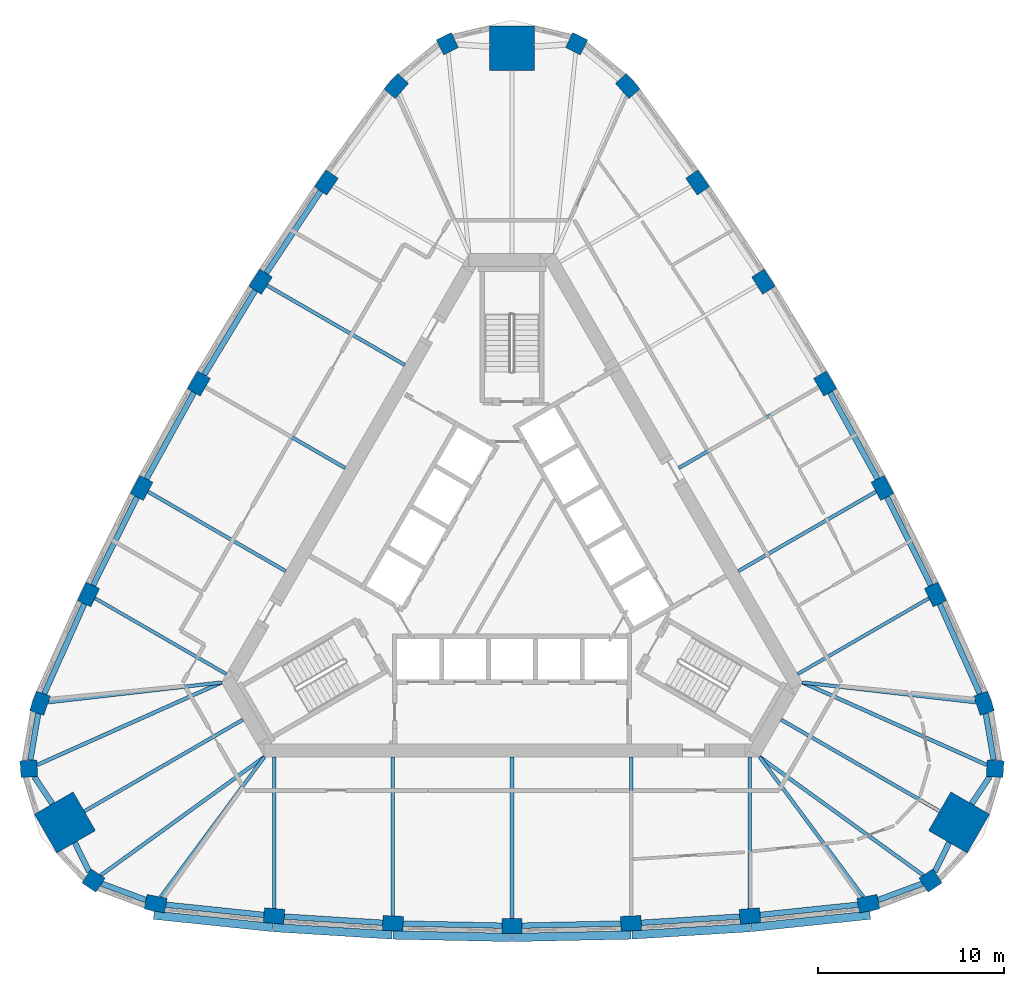
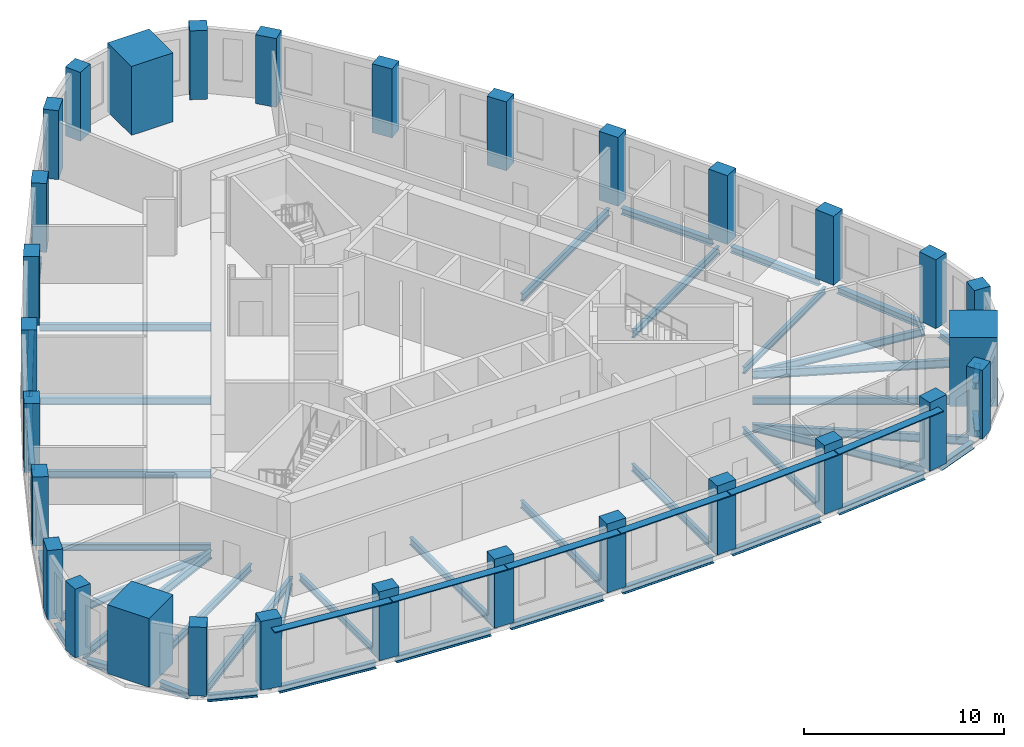
# One storey, part 1 of 10: 44 beams, 30 columns, 6 members.
"""IFC4 building model written with IfcOpenShell, lengths in metres."""

from ifc_helpers import new_model, si_unit, direction, frame, origin, origin_2d, place, context, subcontext, project, spatial, rectangle, i_section, extrude, material, material_profile, profile_set, type_object, element, save


model = new_model("IFC4")

# Units and contexts
model_context = context("Model", 3, precision=1e-05, world=origin(), true_north=direction((0.0, 1.0)))
body_context = subcontext(model_context, "Body", "Model", "MODEL_VIEW")
ifc_project = project(units=[si_unit("LENGTHUNIT", "METRE"), si_unit("AREAUNIT", "SQUARE_METRE"), si_unit("VOLUMEUNIT", "CUBIC_METRE"), si_unit("PLANEANGLEUNIT", "RADIAN"), si_unit("MASSUNIT", "GRAM", prefix="KILO")], contexts=[model_context])

# Site, building, storey
site_placement = place(None, origin())
site = spatial("IfcSite", under=ifc_project, at=site_placement, CompositionType="ELEMENT")
building_placement = place(site_placement, origin())
building = spatial("IfcBuilding", under=site, at=building_placement, Name="Mestral Congress Tower", CompositionType="ELEMENT")
storey_placement = place(building_placement, frame((0.0, 0.0, 226.800048828125)))
storey = spatial("IfcBuildingStorey", under=building, at=storey_placement, Name="L53", CompositionType="ELEMENT", Elevation=226.800048828125)

# Columns
ifc_material_1 = material(Name="Concrete C60/75", Category="concrete")
ifc_material_profile_1 = material_profile(ifc_material_1, rectangle(XDim=1.10009765625, YDim=0.800048828125, at=origin_2d()), Name="RC 1100x800")
ifc_profile_set_1 = profile_set([ifc_material_profile_1], Name="Concrete C60/75")
column_type_1 = type_object("IfcColumnType", Name="Column RC 1100x800 C60/75", PredefinedType="COLUMN", material=ifc_profile_set_1)
for number, where, z_axis, x_axis, name in (
    (1, (-19.150390625, -18.23681640625, 0.0), (0.0, 0.0, 1.0), (0.981324571854, -0.192359259395, 0.0), "COL-L53-C4-S00"),
    (2, (-12.785400390625, -18.899658203125, 0.0), (0.0, 0.0, 1.0), (0.996556680667, -0.082914306473, 0.0), "COL-L53-C4-S01"),
    (3, (-6.398193359375, -19.2978515625, 0.0), (0.0, 0.0, 1.0), (0.999138835542, -0.041492015025, 0.0), "COL-L53-C4-S02"),
    (4, (0.0, -19.4306640625, 0.0), (0.0, 0.0, 1.0), (1.0, 0.0, 0.0), "COL-L53-C4-S03"),
    (5, (6.398193359375, -19.2978515625, 0.0), (0.0, 0.0, 1.0), (0.999138835542, 0.041492015025, 0.0), "COL-L53-C4-S04"),
    (6, (12.785400390625, -18.899658203125, 0.0), (0.0, 0.0, 1.0), (0.996556680667, 0.082914306473, 0.0), "COL-L53-C4-S05"),
    (7, (19.150390625, -18.23681640625, 0.0), (0.0, 0.0, 1.0), (0.981324571854, 0.192359259395, 0.0), "COL-L53-C4-S06"),
    (8, (25.368896484375, -7.46630859375, 0.0), (0.0, 0.0, 1.0), (-0.324074280638, 0.946031638281, 0.0), "COL-L53-C4-E00"),
    (9, (22.76025390625, -1.62255859375, 0.0), (0.0, 0.0, 1.0), (-0.426472444591, 0.904500555005, 0.0), "COL-L53-C4-E01"),
    (10, (19.91162109375, 4.10791015625, 0.0), (0.0, 0.0, 1.0), (-0.463636278705, 0.886025621, 0.0), "COL-L53-C4-E02"),
    (11, (16.827392578125, 9.71533203125, 0.0), (0.0, 0.0, 1.0), (-0.5, 0.866025403784, 0.0), "COL-L53-C4-E03"),
    (12, (13.51318359375, 15.18994140625, 0.0), (0.0, 0.0, 1.0), (-0.535502556837, 0.844533605975, 0.0), "COL-L53-C4-E04"),
    (13, (9.974853515625, 20.522216796875, 0.0), (0.0, 0.0, 1.0), (-0.570084236076, 0.821586248532, 0.0), "COL-L53-C4-E05"),
    (14, (6.218505859375, 25.703125, 0.0), (0.0, 0.0, 1.0), (-0.657250291216, 0.753672378886, 0.0), "COL-L53-C4-E06"),
    (15, (-6.218505859375, 25.703125, 0.0), (0.0, 0.0, 1.0), (-0.657250291216, -0.753672378886, 0.0), "COL-L53-C4-W00"),
    (16, (-9.974853515625, 20.522216796875, 0.0), (0.0, 0.0, 1.0), (-0.570084236076, -0.821586248532, 0.0), "COL-L53-C4-W01"),
    (17, (-13.51318359375, 15.18994140625, 0.0), (0.0, 0.0, 1.0), (-0.535502556837, -0.844533605975, 0.0), "COL-L53-C4-W02"),
    (18, (-16.827392578125, 9.71533203125, 0.0), (0.0, 0.0, 1.0), (-0.5, -0.866025403784, 0.0), "COL-L53-C4-W03"),
    (19, (-19.91162109375, 4.10791015625, 0.0), (0.0, 0.0, 1.0), (-0.463636278705, -0.886025621, 0.0), "COL-L53-C4-W04"),
    (20, (-22.76025390625, -1.62255859375, 0.0), (0.0, 0.0, 1.0), (-0.426472444591, -0.904500555005, 0.0), "COL-L53-C4-W05"),
    (21, (-25.368896484375, -7.46630859375, 0.0), (0.0, 0.0, 1.0), (-0.324074280638, -0.946031638281, 0.0), "COL-L53-C4-W06"),
):
    element("IfcColumn", number, at=place(storey_placement, frame(where, z_axis=z_axis, x_axis=x_axis)), inside=storey, type_object=column_type_1, Name=name, PredefinedType="COLUMN", context=body_context, shape_type="SweptSolid", body=[
        extrude(rectangle(XDim=1.10009765625, YDim=0.800048828125, at=origin_2d()), origin(), (0.0, 0.0, 1.0), 4.199951171875),
    ])
ifc_material_profile_2 = material_profile(ifc_material_1, rectangle(XDim=0.89990234375, YDim=0.89990234375, at=origin_2d()), Name="RC 900x900")
ifc_profile_set_2 = profile_set([ifc_material_profile_2], Name="Concrete C60/75")
column_type_2 = type_object("IfcColumnType", Name="Column RC 900x900 C60/75", PredefinedType="COLUMN", material=ifc_profile_set_2)
for number, where, z_axis, x_axis, name in (
    (22, (22.494384765625, -16.99658203125, 0.0), (0.0, 0.0, 1.0), (0.833238868178, 0.552913183563, 0.0), "COL-L53-C4-SE1"),
    (23, (25.966552734375, -10.982421875, 0.0), (0.0, 0.0, 1.0), (0.062217428964, 0.998062619044, 0.0), "COL-L53-C4-SE3"),
    (24, (3.47216796875, 27.97900390625, 0.0), (0.0, 0.0, 1.0), (-0.895456297142, 0.445149435481, 0.0), "COL-L53-C4-N1"),
    (25, (-3.47216796875, 27.97900390625, 0.0), (0.0, 0.0, 1.0), (-0.895456297142, -0.445149435481, 0.0), "COL-L53-C4-N3"),
    (26, (-25.966552734375, -10.982421875, 0.0), (0.0, 0.0, 1.0), (0.062217428964, -0.998062619044, 0.0), "COL-L53-C4-SW1"),
    (27, (-22.494384765625, -16.99658203125, 0.0), (0.0, 0.0, 1.0), (0.833238868178, -0.552913183563, 0.0), "COL-L53-C4-SW3"),
):
    element("IfcColumn", number, at=place(storey_placement, frame(where, z_axis=z_axis, x_axis=x_axis)), inside=storey, type_object=column_type_2, Name=name, PredefinedType="COLUMN", context=body_context, shape_type="SweptSolid", body=[
        extrude(rectangle(XDim=0.89990234375, YDim=0.89990234375, at=origin_2d()), origin(), (0.0, 0.0, 1.0), 4.199951171875),
    ])
ifc_material_2 = material(Name="Concrete C70/85", Category="concrete")
ifc_material_profile_3 = material_profile(ifc_material_2, rectangle(XDim=2.39990234375, YDim=2.39990234375, at=origin_2d()), Name="RC 2400x2400")
ifc_profile_set_3 = profile_set([ifc_material_profile_3], Name="Concrete C70/85")
column_type_3 = type_object("IfcColumnType", Name="Mega column RC 2400x2400 C70/85", PredefinedType="COLUMN", material=ifc_profile_set_3)
for number, where, z_axis, x_axis, name in (
    (28, (24.02734375, -13.872314453125, 0.0), (0.0, 0.0, 1.0), (0.866025403784, -0.5, 0.0), "COL-L53-PY4-SE"),
    (29, (0.0, 27.744384765625, 0.0), (0.0, 0.0, 1.0), (0.0, 1.0, 0.0), "COL-L53-PY4-N"),
    (30, (-24.02734375, -13.872314453125, 0.0), (0.0, 0.0, 1.0), (-0.866025403784, -0.5, 0.0), "COL-L53-PY4-SW"),
):
    element("IfcColumn", number, at=place(storey_placement, frame(where, z_axis=z_axis, x_axis=x_axis)), inside=storey, type_object=column_type_3, Name=name, PredefinedType="COLUMN", context=body_context, shape_type="SweptSolid", body=[
        extrude(rectangle(XDim=2.39990234375, YDim=2.39990234375, at=origin_2d()), origin(), (0.0, 0.0, 1.0), 4.199951171875),
    ])

# Members
ifc_material_3 = material(Name="Glazed ceramic", Category="masonry")
ifc_material_profile_4 = material_profile(ifc_material_3, rectangle(XDim=0.449951171875, YDim=0.06005859375, at=origin_2d()), Name="Ceramic blade 450 x 60")
ifc_profile_set_4 = profile_set([ifc_material_profile_4], Name="Glazed ceramic")
member_type = type_object("IfcMemberType", Name="Facade sunshade blade 450 x 60", PredefinedType="USERDEFINED", material=ifc_profile_set_4)
member_1_placement = place(storey_placement, frame((-19.251708984375, -18.8544921875, 3.679931640625), z_axis=(0.994617919471, -0.103610782581, 0.0), x_axis=(0.103610782581, 0.994617919471, 0.0)))
element("IfcMember", 31, at=member_1_placement, inside=storey, type_object=member_type, Name="Sunshade F0-00", ObjectType="SUNSHADE", PredefinedType="USERDEFINED", context=body_context, shape_type="SweptSolid", body=[
    extrude(rectangle(XDim=0.449951171875, YDim=0.06005859375, at=origin_2d()), origin(), (0.0, 0.0, 1.0), 6.42578125),
])
member_2_placement = place(storey_placement, frame((-12.8134765625, -19.524169921875, 3.679931640625), z_axis=(0.99806373271, -0.062199561482, 0.0), x_axis=(0.062199561482, 0.99806373271, 0.0)))
element("IfcMember", 32, at=member_2_placement, inside=storey, type_object=member_type, Name="Sunshade F0-01", ObjectType="SUNSHADE", PredefinedType="USERDEFINED", context=body_context, shape_type="SweptSolid", body=[
    extrude(rectangle(XDim=0.449951171875, YDim=0.06005859375, at=origin_2d()), origin(), (0.0, 0.0, 1.0), 6.37841796875),
])
for number, where, z_axis, x_axis, name in (
    (33, (-6.400390625, -19.9228515625, 3.679931640625), (0.99978476383, -0.0207467109, 0.0), (0.0207467109, 0.99978476383, 0.0), "Sunshade F0-02"),
    (34, (0.023681640625, -20.05517578125, 3.679931640625), (0.99978476383, 0.0207467109, 0.0), (-0.0207467109, 0.99978476383, 0.0), "Sunshade F0-03"),
):
    element("IfcMember", number, at=place(storey_placement, frame(where, z_axis=z_axis, x_axis=x_axis)), inside=storey, type_object=member_type, Name=name, ObjectType="SUNSHADE", PredefinedType="USERDEFINED", context=body_context, shape_type="SweptSolid", body=[
        extrude(rectangle(XDim=0.449951171875, YDim=0.06005859375, at=origin_2d()), origin(), (0.0, 0.0, 1.0), 6.378173828125),
    ])
member_3_placement = place(storey_placement, frame((6.447509765625, -19.9208984375, 3.679931640625), z_axis=(0.99806373271, 0.062199561482, 0.0), x_axis=(-0.062199561482, 0.99806373271, 0.0)))
element("IfcMember", 35, at=member_3_placement, inside=storey, type_object=member_type, Name="Sunshade F0-04", ObjectType="SUNSHADE", PredefinedType="USERDEFINED", context=body_context, shape_type="SweptSolid", body=[
    extrude(rectangle(XDim=0.449951171875, YDim=0.06005859375, at=origin_2d()), origin(), (0.0, 0.0, 1.0), 6.37841796875),
])
member_4_placement = place(storey_placement, frame((12.860595703125, -19.520263671875, 3.679931640625), z_axis=(0.994617919471, 0.103610782581, 0.0), x_axis=(-0.103610782581, 0.994617919471, 0.0)))
element("IfcMember", 36, at=member_4_placement, inside=storey, type_object=member_type, Name="Sunshade F0-05", ObjectType="SUNSHADE", PredefinedType="USERDEFINED", context=body_context, shape_type="SweptSolid", body=[
    extrude(rectangle(XDim=0.449951171875, YDim=0.06005859375, at=origin_2d()), origin(), (0.0, 0.0, 1.0), 6.42578125),
])

# Beams
ifc_material_4 = material(Name="Steel S355", Category="steel")
ifc_material_profile_5 = material_profile(ifc_material_4, i_section(OverallWidth=0.179931640625, OverallDepth=0.39990234375, WebThickness=0.008544921875, FlangeThickness=0.013427734375, FilletRadius=0.02099609375, at=origin_2d()), Name="IPE 400")
ifc_profile_set_5 = profile_set([ifc_material_profile_5], Name="Steel S355")
beam_type_1 = type_object("IfcBeamType", Name="Floor beam IPE 400 S355", PredefinedType="BEAM", material=ifc_profile_set_5)
for number, where, z_axis, x_axis, name in (
    (37, (-12.785400390625, -18.498291015625, -0.449951171875), (0.0, 1.0, 0.0), (-1.0, 0.0, 0.0), "BM-L53-RB4-S01"),
    (38, (12.785400390625, -18.498291015625, -0.449951171875), (0.0, 1.0, 0.0), (-1.0, 0.0, 0.0), "BM-L53-RB4-S05"),
):
    element("IfcBeam", number, at=place(storey_placement, frame(where, z_axis=z_axis, x_axis=x_axis)), inside=storey, type_object=beam_type_1, Name=name, PredefinedType="BEAM", context=body_context, shape_type="SweptSolid", body=[
        extrude(i_section(OverallWidth=0.179931640625, OverallDepth=0.39990234375, WebThickness=0.008544921875, FlangeThickness=0.013427734375, FilletRadius=0.02099609375, at=origin_2d()), origin(), (0.0, 0.0, 1.0), 8.148193359375),
    ])
for number, where, z_axis, x_axis, name in (
    (39, (22.41259765625, -1.8232421875, -0.449951171875), (-0.866021929094, -0.500006018292, 0.0), (0.500006018292, -0.866021929094, 0.0), "BM-L53-RB4-E01"),
    (40, (-22.41259765625, -1.8232421875, -0.449951171875), (0.866021929094, -0.500006018292, 0.0), (0.500006018292, 0.866021929094, 0.0), "BM-L53-RB4-W05"),
):
    element("IfcBeam", number, at=place(storey_placement, frame(where, z_axis=z_axis, x_axis=x_axis)), inside=storey, type_object=beam_type_1, Name=name, PredefinedType="BEAM", context=body_context, shape_type="SweptSolid", body=[
        extrude(i_section(OverallWidth=0.179931640625, OverallDepth=0.39990234375, WebThickness=0.008544921875, FlangeThickness=0.013427734375, FilletRadius=0.02099609375, at=origin_2d()), origin(), (0.0, 0.0, 1.0), 8.1484375),
    ])
ifc_material_profile_6 = material_profile(ifc_material_4, i_section(OverallWidth=0.18994140625, OverallDepth=0.449951171875, WebThickness=0.009521484375, FlangeThickness=0.0146484375, FilletRadius=0.02099609375, at=origin_2d()), Name="IPE 450")
ifc_profile_set_6 = profile_set([ifc_material_profile_6], Name="Steel S355")
beam_type_2 = type_object("IfcBeamType", Name="Floor beam IPE 450 S355", PredefinedType="BEAM", material=ifc_profile_set_6)
beam_1_placement = place(storey_placement, frame((-18.88671875, -17.880859375, -0.47509765625), z_axis=(0.595263059859, 0.803530888994, 0.0), x_axis=(-0.803530888994, 0.595263059859, 0.0)))
element("IfcBeam", 41, at=beam_1_placement, inside=storey, type_object=beam_type_2, Name="BM-L53-RB4-S00", PredefinedType="BEAM", context=body_context, shape_type="SweptSolid", body=[
    extrude(i_section(OverallWidth=0.18994140625, OverallDepth=0.449951171875, WebThickness=0.009521484375, FlangeThickness=0.0146484375, FilletRadius=0.02099609375, at=origin_2d()), origin(), (0.0, 0.0, 1.0), 9.3720703125),
])
beam_2_placement = place(storey_placement, frame((-6.398193359375, -18.8974609375, -0.47509765625), z_axis=(0.0, 1.0, 0.0), x_axis=(-1.0, 0.0, 0.0)))
element("IfcBeam", 42, at=beam_2_placement, inside=storey, type_object=beam_type_2, Name="BM-L53-RB4-S02", PredefinedType="BEAM", context=body_context, shape_type="SweptSolid", body=[
    extrude(i_section(OverallWidth=0.18994140625, OverallDepth=0.449951171875, WebThickness=0.009521484375, FlangeThickness=0.0146484375, FilletRadius=0.02099609375, at=origin_2d()), origin(), (0.0, 0.0, 1.0), 8.54736328125),
])
beam_3_placement = place(storey_placement, frame((0.0, -19.030517578125, -0.47509765625), z_axis=(0.0, 1.0, 0.0), x_axis=(-1.0, 0.0, 0.0)))
element("IfcBeam", 43, at=beam_3_placement, inside=storey, type_object=beam_type_2, Name="BM-L53-RB4-S03", PredefinedType="BEAM", context=body_context, shape_type="SweptSolid", body=[
    extrude(i_section(OverallWidth=0.18994140625, OverallDepth=0.449951171875, WebThickness=0.009521484375, FlangeThickness=0.0146484375, FilletRadius=0.02099609375, at=origin_2d()), origin(), (0.0, 0.0, 1.0), 8.680419921875),
])
beam_4_placement = place(storey_placement, frame((6.398193359375, -18.8974609375, -0.47509765625), z_axis=(0.0, 1.0, 0.0), x_axis=(-1.0, 0.0, 0.0)))
element("IfcBeam", 44, at=beam_4_placement, inside=storey, type_object=beam_type_2, Name="BM-L53-RB4-S04", PredefinedType="BEAM", context=body_context, shape_type="SweptSolid", body=[
    extrude(i_section(OverallWidth=0.18994140625, OverallDepth=0.449951171875, WebThickness=0.009521484375, FlangeThickness=0.0146484375, FilletRadius=0.02099609375, at=origin_2d()), origin(), (0.0, 0.0, 1.0), 8.54736328125),
])
beam_5_placement = place(storey_placement, frame((18.88671875, -17.880859375, -0.47509765625), z_axis=(-0.595263059859, 0.803530888994, 0.0), x_axis=(-0.803530888994, -0.595263059859, 0.0)))
element("IfcBeam", 45, at=beam_5_placement, inside=storey, type_object=beam_type_2, Name="BM-L53-RB4-S06", PredefinedType="BEAM", context=body_context, shape_type="SweptSolid", body=[
    extrude(i_section(OverallWidth=0.18994140625, OverallDepth=0.449951171875, WebThickness=0.009521484375, FlangeThickness=0.0146484375, FilletRadius=0.02099609375, at=origin_2d()), origin(), (0.0, 0.0, 1.0), 9.3720703125),
])
beam_6_placement = place(storey_placement, frame((22.98828125, -13.272216796875, -0.47509765625), z_axis=(-0.866021631874, 0.500006533084, 0.0), x_axis=(-0.500006533084, -0.866021631874, 0.0)))
element("IfcBeam", 46, at=beam_6_placement, inside=storey, type_object=beam_type_2, Name="BM-L53-RB4-SE", PredefinedType="BEAM", context=body_context, shape_type="SweptSolid", body=[
    extrude(i_section(OverallWidth=0.18994140625, OverallDepth=0.449951171875, WebThickness=0.009521484375, FlangeThickness=0.0146484375, FilletRadius=0.02099609375, at=origin_2d()), origin(), (0.0, 0.0, 1.0), 9.844482421875),
])
beam_7_placement = place(storey_placement, frame((24.9287109375, -7.416015625, -0.47509765625), z_axis=(-0.99351166529, 0.11373025513, 0.0), x_axis=(-0.11373025513, -0.99351166529, 0.0)))
element("IfcBeam", 47, at=beam_7_placement, inside=storey, type_object=beam_type_2, Name="BM-L53-RB4-E00", PredefinedType="BEAM", context=body_context, shape_type="SweptSolid", body=[
    extrude(i_section(OverallWidth=0.18994140625, OverallDepth=0.449951171875, WebThickness=0.009521484375, FlangeThickness=0.0146484375, FilletRadius=0.02099609375, at=origin_2d()), origin(), (0.0, 0.0, 1.0), 9.372314453125),
])
beam_8_placement = place(storey_placement, frame((19.564697265625, 3.90771484375, -0.47509765625), z_axis=(-0.866028621479, -0.499994426748, 0.0), x_axis=(0.499994426748, -0.866028621479, 0.0)))
element("IfcBeam", 48, at=beam_8_placement, inside=storey, type_object=beam_type_2, Name="BM-L53-RB4-E02", PredefinedType="BEAM", context=body_context, shape_type="SweptSolid", body=[
    extrude(i_section(OverallWidth=0.18994140625, OverallDepth=0.449951171875, WebThickness=0.009521484375, FlangeThickness=0.0146484375, FilletRadius=0.02099609375, at=origin_2d()), origin(), (0.0, 0.0, 1.0), 8.54736328125),
])
beam_9_placement = place(storey_placement, frame((16.48095703125, 9.515380859375, -0.47509765625), z_axis=(-0.866022596503, -0.500004862322, 0.0), x_axis=(0.500004862322, -0.866022596503, 0.0)))
element("IfcBeam", 49, at=beam_9_placement, inside=storey, type_object=beam_type_2, Name="BM-L53-RB4-E03", PredefinedType="BEAM", context=body_context, shape_type="SweptSolid", body=[
    extrude(i_section(OverallWidth=0.18994140625, OverallDepth=0.449951171875, WebThickness=0.009521484375, FlangeThickness=0.0146484375, FilletRadius=0.02099609375, at=origin_2d()), origin(), (0.0, 0.0, 1.0), 8.6806640625),
])
beam_10_placement = place(storey_placement, frame((-13.16650390625, 14.98974609375, -0.47509765625), z_axis=(0.866028621479, -0.499994426748, 0.0), x_axis=(0.499994426748, 0.866028621479, 0.0)))
element("IfcBeam", 50, at=beam_10_placement, inside=storey, type_object=beam_type_2, Name="BM-L53-RB4-W02", PredefinedType="BEAM", context=body_context, shape_type="SweptSolid", body=[
    extrude(i_section(OverallWidth=0.18994140625, OverallDepth=0.449951171875, WebThickness=0.009521484375, FlangeThickness=0.0146484375, FilletRadius=0.02099609375, at=origin_2d()), origin(), (0.0, 0.0, 1.0), 8.54736328125),
])
beam_11_placement = place(storey_placement, frame((-16.48095703125, 9.515380859375, -0.47509765625), z_axis=(0.866022596503, -0.500004862322, 0.0), x_axis=(0.500004862322, 0.866022596503, 0.0)))
element("IfcBeam", 51, at=beam_11_placement, inside=storey, type_object=beam_type_2, Name="BM-L53-RB4-W03", PredefinedType="BEAM", context=body_context, shape_type="SweptSolid", body=[
    extrude(i_section(OverallWidth=0.18994140625, OverallDepth=0.449951171875, WebThickness=0.009521484375, FlangeThickness=0.0146484375, FilletRadius=0.02099609375, at=origin_2d()), origin(), (0.0, 0.0, 1.0), 8.6806640625),
])
beam_12_placement = place(storey_placement, frame((-19.564697265625, 3.90771484375, -0.47509765625), z_axis=(0.866028621479, -0.499994426748, 0.0), x_axis=(0.499994426748, 0.866028621479, 0.0)))
element("IfcBeam", 52, at=beam_12_placement, inside=storey, type_object=beam_type_2, Name="BM-L53-RB4-W04", PredefinedType="BEAM", context=body_context, shape_type="SweptSolid", body=[
    extrude(i_section(OverallWidth=0.18994140625, OverallDepth=0.449951171875, WebThickness=0.009521484375, FlangeThickness=0.0146484375, FilletRadius=0.02099609375, at=origin_2d()), origin(), (0.0, 0.0, 1.0), 8.54736328125),
])
beam_13_placement = place(storey_placement, frame((-24.9287109375, -7.416015625, -0.47509765625), z_axis=(0.99351166529, 0.11373025513, 0.0), x_axis=(-0.11373025513, 0.99351166529, 0.0)))
element("IfcBeam", 53, at=beam_13_placement, inside=storey, type_object=beam_type_2, Name="BM-L53-RB4-W06", PredefinedType="BEAM", context=body_context, shape_type="SweptSolid", body=[
    extrude(i_section(OverallWidth=0.18994140625, OverallDepth=0.449951171875, WebThickness=0.009521484375, FlangeThickness=0.0146484375, FilletRadius=0.02099609375, at=origin_2d()), origin(), (0.0, 0.0, 1.0), 9.372314453125),
])
beam_14_placement = place(storey_placement, frame((-22.98828125, -13.272216796875, -0.47509765625), z_axis=(0.866021631874, 0.500006533084, 0.0), x_axis=(-0.500006533084, 0.866021631874, 0.0)))
element("IfcBeam", 54, at=beam_14_placement, inside=storey, type_object=beam_type_2, Name="BM-L53-RB4-SW", PredefinedType="BEAM", context=body_context, shape_type="SweptSolid", body=[
    extrude(i_section(OverallWidth=0.18994140625, OverallDepth=0.449951171875, WebThickness=0.009521484375, FlangeThickness=0.0146484375, FilletRadius=0.02099609375, at=origin_2d()), origin(), (0.0, 0.0, 1.0), 9.844482421875),
])
ifc_material_profile_7 = material_profile(ifc_material_4, i_section(OverallWidth=0.199951171875, OverallDepth=0.5, WebThickness=0.01025390625, FlangeThickness=0.01611328125, FilletRadius=0.02099609375, at=origin_2d()), Name="IPE 500")
ifc_profile_set_7 = profile_set([ifc_material_profile_7], Name="Steel S355")
beam_type_3 = type_object("IfcBeamType", Name="Floor beam IPE 500 S355", PredefinedType="BEAM", material=ifc_profile_set_7)
beam_15_placement = place(storey_placement, frame((22.10498046875, -16.71484375, -0.5), z_axis=(-0.810186242112, 0.586172545496, 0.0), x_axis=(-0.586172545496, -0.810186242112, 0.0)))
element("IfcBeam", 55, at=beam_15_placement, inside=storey, type_object=beam_type_3, Name="BM-L53-RB4-SE1", PredefinedType="BEAM", context=body_context, shape_type="SweptSolid", body=[
    extrude(i_section(OverallWidth=0.199951171875, OverallDepth=0.5, WebThickness=0.01025390625, FlangeThickness=0.01611328125, FilletRadius=0.02099609375, at=origin_2d()), origin(), (0.0, 0.0, 1.0), 10.858154296875),
])
for number, where, z_axis, x_axis, name in (
    (56, (25.528076171875, -10.7861328125, -0.5), (-0.912742142995, 0.408536143323, 0.0), (-0.408536143323, -0.912742142995, 0.0), "BM-L53-RB4-SE3"),
    (57, (-25.528076171875, -10.7861328125, -0.5), (0.912742142995, 0.408536143323, 0.0), (-0.408536143323, 0.912742142995, 0.0), "BM-L53-RB4-SW1"),
):
    element("IfcBeam", number, at=place(storey_placement, frame(where, z_axis=z_axis, x_axis=x_axis)), inside=storey, type_object=beam_type_3, Name=name, PredefinedType="BEAM", context=body_context, shape_type="SweptSolid", body=[
        extrude(i_section(OverallWidth=0.199951171875, OverallDepth=0.5, WebThickness=0.01025390625, FlangeThickness=0.01611328125, FilletRadius=0.02099609375, at=origin_2d()), origin(), (0.0, 0.0, 1.0), 10.8583984375),
    ])
beam_16_placement = place(storey_placement, frame((-22.10498046875, -16.71484375, -0.5), z_axis=(0.810186242112, 0.586172545496, 0.0), x_axis=(-0.586172545496, 0.810186242112, 0.0)))
element("IfcBeam", 58, at=beam_16_placement, inside=storey, type_object=beam_type_3, Name="BM-L53-RB4-SW3", PredefinedType="BEAM", context=body_context, shape_type="SweptSolid", body=[
    extrude(i_section(OverallWidth=0.199951171875, OverallDepth=0.5, WebThickness=0.01025390625, FlangeThickness=0.01611328125, FilletRadius=0.02099609375, at=origin_2d()), origin(), (0.0, 0.0, 1.0), 10.858154296875),
])
ifc_material_profile_8 = material_profile(ifc_material_4, i_section(OverallWidth=0.300048828125, OverallDepth=0.389892578125, WebThickness=0.010986328125, FlangeThickness=0.01904296875, FilletRadius=0.027099609375, at=origin_2d()), Name="HEA 400")
ifc_profile_set_8 = profile_set([ifc_material_profile_8], Name="Steel S355")
beam_type_4 = type_object("IfcBeamType", Name="Spandrel beam HEA 400 S355", PredefinedType="BEAM", material=ifc_profile_set_8)
beam_17_placement = place(storey_placement, frame((-18.60107421875, -18.2939453125, -0.445068359375), z_axis=(0.994618013093, -0.103609883848, 0.0), x_axis=(0.103609883848, 0.994618013093, 0.0)))
element("IfcBeam", 59, at=beam_17_placement, inside=storey, type_object=beam_type_4, Name="SP-L53-SB4-S00", PredefinedType="BEAM", context=body_context, shape_type="SweptSolid", body=[
    extrude(i_section(OverallWidth=0.300048828125, OverallDepth=0.389892578125, WebThickness=0.010986328125, FlangeThickness=0.01904296875, FilletRadius=0.027099609375, at=origin_2d()), origin(), (0.0, 0.0, 1.0), 5.297119140625),
])
for number, where, z_axis, x_axis, name in (
    (60, (-12.236328125, -18.933837890625, -0.445068359375), (0.998061173507, -0.062240613248, 0.0), (0.062240613248, 0.998061173507, 0.0), "SP-L53-SB4-S01"),
    (61, (-5.84814453125, -19.309326171875, -0.445068359375), (0.999785070758, -0.020731914743, 0.0), (0.020731914743, 0.999785070758, 0.0), "SP-L53-SB4-S02"),
    (62, (0.550048828125, -19.419189453125, -0.445068359375), (0.999785070758, 0.020731914743, 0.0), (-0.020731914743, 0.999785070758, 0.0), "SP-L53-SB4-S03"),
    (63, (6.947265625, -19.263671875, -0.445068359375), (0.998061173507, 0.062240613248, 0.0), (-0.062240613248, 0.998061173507, 0.0), "SP-L53-SB4-S04"),
):
    element("IfcBeam", number, at=place(storey_placement, frame(where, z_axis=z_axis, x_axis=x_axis)), inside=storey, type_object=beam_type_4, Name=name, PredefinedType="BEAM", context=body_context, shape_type="SweptSolid", body=[
        extrude(i_section(OverallWidth=0.300048828125, OverallDepth=0.389892578125, WebThickness=0.010986328125, FlangeThickness=0.01904296875, FilletRadius=0.027099609375, at=origin_2d()), origin(), (0.0, 0.0, 1.0), 5.29931640625),
    ])
beam_18_placement = place(storey_placement, frame((13.33251953125, -18.8427734375, -0.445068359375), z_axis=(0.994618013093, 0.103609883848, 0.0), x_axis=(-0.103609883848, 0.994618013093, 0.0)))
element("IfcBeam", 64, at=beam_18_placement, inside=storey, type_object=beam_type_4, Name="SP-L53-SB4-S05", PredefinedType="BEAM", context=body_context, shape_type="SweptSolid", body=[
    extrude(i_section(OverallWidth=0.300048828125, OverallDepth=0.389892578125, WebThickness=0.010986328125, FlangeThickness=0.01904296875, FilletRadius=0.027099609375, at=origin_2d()), origin(), (0.0, 0.0, 1.0), 5.297119140625),
])
beam_19_placement = place(storey_placement, frame((19.6728515625, -18.04296875, -0.445068359375), z_axis=(0.937591421971, 0.347738875374, 0.0), x_axis=(-0.347738875374, 0.937591421971, 0.0)))
element("IfcBeam", 65, at=beam_19_placement, inside=storey, type_object=beam_type_4, Name="SP-L53-SB4-S06", PredefinedType="BEAM", context=body_context, shape_type="SweptSolid", body=[
    extrude(i_section(OverallWidth=0.300048828125, OverallDepth=0.389892578125, WebThickness=0.010986328125, FlangeThickness=0.01904296875, FilletRadius=0.027099609375, at=origin_2d()), origin(), (0.0, 0.0, 1.0), 2.547119140625),
])
for number, where, z_axis, x_axis, name in (
    (66, (22.723876953125, -16.528564453125, -0.445068359375), (0.440528581483, 0.897738586058, 0.0), (-0.897738586058, 0.440528581483, 0.0), "SP-L53-SB4-SE1"),
    (67, (24.697509765625, -12.87353515625, -0.445068359375), (0.557295931564, 0.830313943435, 0.0), (-0.830313943435, 0.557295931564, 0.0), "SP-L53-SB4-SE"),
):
    element("IfcBeam", number, at=place(storey_placement, frame(where, z_axis=z_axis, x_axis=x_axis)), inside=storey, type_object=beam_type_4, Name=name, PredefinedType="BEAM", context=body_context, shape_type="SweptSolid", body=[
        extrude(i_section(OverallWidth=0.300048828125, OverallDepth=0.389892578125, WebThickness=0.010986328125, FlangeThickness=0.01904296875, FilletRadius=0.027099609375, at=origin_2d()), origin(), (0.0, 0.0, 1.0), 1.75634765625),
    ])
beam_20_placement = place(storey_placement, frame((25.88916015625, -10.52685546875, -0.445068359375), z_axis=(-0.167630891496, 0.98584982843, 0.0), x_axis=(-0.98584982843, -0.167630891496, 0.0)))
element("IfcBeam", 68, at=beam_20_placement, inside=storey, type_object=beam_type_4, Name="SP-L53-SB4-SE3", PredefinedType="BEAM", context=body_context, shape_type="SweptSolid", body=[
    extrude(i_section(OverallWidth=0.300048828125, OverallDepth=0.389892578125, WebThickness=0.010986328125, FlangeThickness=0.01904296875, FilletRadius=0.027099609375, at=origin_2d()), origin(), (0.0, 0.0, 1.0), 2.54736328125),
])
beam_21_placement = place(storey_placement, frame((25.143798828125, -6.9619140625, -0.445068359375), z_axis=(-0.407626134336, 0.913148911518, 0.0), x_axis=(-0.913148911518, -0.407626134336, 0.0)))
element("IfcBeam", 69, at=beam_21_placement, inside=storey, type_object=beam_type_4, Name="SP-L53-SB4-E00", PredefinedType="BEAM", context=body_context, shape_type="SweptSolid", body=[
    extrude(i_section(OverallWidth=0.300048828125, OverallDepth=0.389892578125, WebThickness=0.010986328125, FlangeThickness=0.01904296875, FilletRadius=0.027099609375, at=origin_2d()), origin(), (0.0, 0.0, 1.0), 5.296875),
])
beam_22_placement = place(storey_placement, frame((22.515380859375, -1.1298828125, -0.445068359375), z_axis=(-0.445148375831, 0.895456823914, 0.0), x_axis=(-0.895456823914, -0.445148375831, 0.0)))
element("IfcBeam", 70, at=beam_22_placement, inside=storey, type_object=beam_type_4, Name="SP-L53-SB4-E01", PredefinedType="BEAM", context=body_context, shape_type="SweptSolid", body=[
    extrude(i_section(OverallWidth=0.300048828125, OverallDepth=0.389892578125, WebThickness=0.010986328125, FlangeThickness=0.01904296875, FilletRadius=0.027099609375, at=origin_2d()), origin(), (0.0, 0.0, 1.0), 5.299072265625),
])
beam_23_placement = place(storey_placement, frame((19.646484375, 4.58984375, -0.445068359375), z_axis=(-0.481918749772, 0.876215908677, 0.0), x_axis=(-0.876215908677, -0.481918749772, 0.0)))
element("IfcBeam", 71, at=beam_23_placement, inside=storey, type_object=beam_type_4, Name="SP-L53-SB4-E02", PredefinedType="BEAM", context=body_context, shape_type="SweptSolid", body=[
    extrude(i_section(OverallWidth=0.300048828125, OverallDepth=0.389892578125, WebThickness=0.010986328125, FlangeThickness=0.01904296875, FilletRadius=0.027099609375, at=origin_2d()), origin(), (0.0, 0.0, 1.0), 5.299560546875),
])
for number, where, z_axis, x_axis, name in (
    (72, (-10.279052734375, 20.063720703125, -0.445068359375), (-0.552934106774, -0.833224983762, 0.0), (0.833224983762, -0.552934106774, 0.0), "SP-L53-SB4-W01"),
    (73, (-13.798095703125, 14.71923828125, -0.445068359375), (-0.517865676042, -0.855461946306, 0.0), (0.855461946306, -0.517865676042, 0.0), "SP-L53-SB4-W02"),
):
    element("IfcBeam", number, at=place(storey_placement, frame(where, z_axis=z_axis, x_axis=x_axis)), inside=storey, type_object=beam_type_4, Name=name, PredefinedType="BEAM", context=body_context, shape_type="SweptSolid", body=[
        extrude(i_section(OverallWidth=0.300048828125, OverallDepth=0.389892578125, WebThickness=0.010986328125, FlangeThickness=0.01904296875, FilletRadius=0.027099609375, at=origin_2d()), origin(), (0.0, 0.0, 1.0), 5.29931640625),
    ])
beam_24_placement = place(storey_placement, frame((-17.092529296875, 9.2333984375, -0.445068359375), z_axis=(-0.481918749772, -0.876215908677, 0.0), x_axis=(0.876215908677, -0.481918749772, 0.0)))
element("IfcBeam", 74, at=beam_24_placement, inside=storey, type_object=beam_type_4, Name="SP-L53-SB4-W03", PredefinedType="BEAM", context=body_context, shape_type="SweptSolid", body=[
    extrude(i_section(OverallWidth=0.300048828125, OverallDepth=0.389892578125, WebThickness=0.010986328125, FlangeThickness=0.01904296875, FilletRadius=0.027099609375, at=origin_2d()), origin(), (0.0, 0.0, 1.0), 5.299560546875),
])
beam_25_placement = place(storey_placement, frame((-20.156494140625, 3.615234375, -0.445068359375), z_axis=(-0.445148375831, -0.895456823914, 0.0), x_axis=(0.895456823914, -0.445148375831, 0.0)))
element("IfcBeam", 75, at=beam_25_placement, inside=storey, type_object=beam_type_4, Name="SP-L53-SB4-W04", PredefinedType="BEAM", context=body_context, shape_type="SweptSolid", body=[
    extrude(i_section(OverallWidth=0.300048828125, OverallDepth=0.389892578125, WebThickness=0.010986328125, FlangeThickness=0.01904296875, FilletRadius=0.027099609375, at=origin_2d()), origin(), (0.0, 0.0, 1.0), 5.299072265625),
])
beam_26_placement = place(storey_placement, frame((-22.984619140625, -2.125, -0.445068359375), z_axis=(-0.407626134336, -0.913148911518, 0.0), x_axis=(0.913148911518, -0.407626134336, 0.0)))
element("IfcBeam", 76, at=beam_26_placement, inside=storey, type_object=beam_type_4, Name="SP-L53-SB4-W05", PredefinedType="BEAM", context=body_context, shape_type="SweptSolid", body=[
    extrude(i_section(OverallWidth=0.300048828125, OverallDepth=0.389892578125, WebThickness=0.010986328125, FlangeThickness=0.01904296875, FilletRadius=0.027099609375, at=origin_2d()), origin(), (0.0, 0.0, 1.0), 5.296875),
])
beam_27_placement = place(storey_placement, frame((-25.462158203125, -8.015625, -0.445068359375), z_axis=(-0.167630891496, -0.98584982843, 0.0), x_axis=(0.98584982843, -0.167630891496, 0.0)))
element("IfcBeam", 77, at=beam_27_placement, inside=storey, type_object=beam_type_4, Name="SP-L53-SB4-W06", PredefinedType="BEAM", context=body_context, shape_type="SweptSolid", body=[
    extrude(i_section(OverallWidth=0.300048828125, OverallDepth=0.389892578125, WebThickness=0.010986328125, FlangeThickness=0.01904296875, FilletRadius=0.027099609375, at=origin_2d()), origin(), (0.0, 0.0, 1.0), 2.54736328125),
])
for number, where, z_axis, x_axis, name in (
    (78, (-25.67626953125, -11.415283203125, -0.445068359375), (0.557295931564, -0.830313943435, 0.0), (0.830313943435, 0.557295931564, 0.0), "SP-L53-SB4-SW1"),
    (79, (-23.49755859375, -14.951904296875, -0.445068359375), (0.440528581483, -0.897738586058, 0.0), (0.897738586058, 0.440528581483, 0.0), "SP-L53-SB4-SW"),
):
    element("IfcBeam", number, at=place(storey_placement, frame(where, z_axis=z_axis, x_axis=x_axis)), inside=storey, type_object=beam_type_4, Name=name, PredefinedType="BEAM", context=body_context, shape_type="SweptSolid", body=[
        extrude(i_section(OverallWidth=0.300048828125, OverallDepth=0.389892578125, WebThickness=0.010986328125, FlangeThickness=0.01904296875, FilletRadius=0.027099609375, at=origin_2d()), origin(), (0.0, 0.0, 1.0), 1.75634765625),
    ])
beam_28_placement = place(storey_placement, frame((-22.06103515625, -17.1572265625, -0.445068359375), z_axis=(0.937591421971, -0.347738875374, 0.0), x_axis=(0.347738875374, 0.937591421971, 0.0)))
element("IfcBeam", 80, at=beam_28_placement, inside=storey, type_object=beam_type_4, Name="SP-L53-SB4-SW3", PredefinedType="BEAM", context=body_context, shape_type="SweptSolid", body=[
    extrude(i_section(OverallWidth=0.300048828125, OverallDepth=0.389892578125, WebThickness=0.010986328125, FlangeThickness=0.01904296875, FilletRadius=0.027099609375, at=origin_2d()), origin(), (0.0, 0.0, 1.0), 2.547119140625),
])

save(model, "model.ifc")
